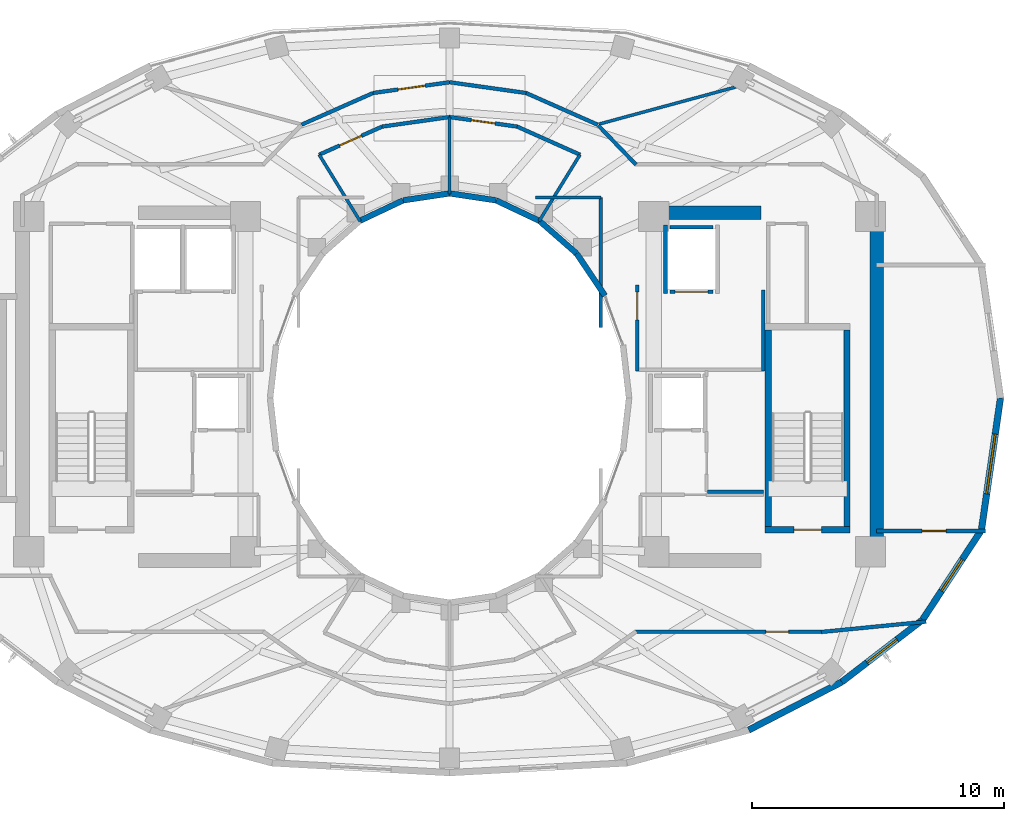
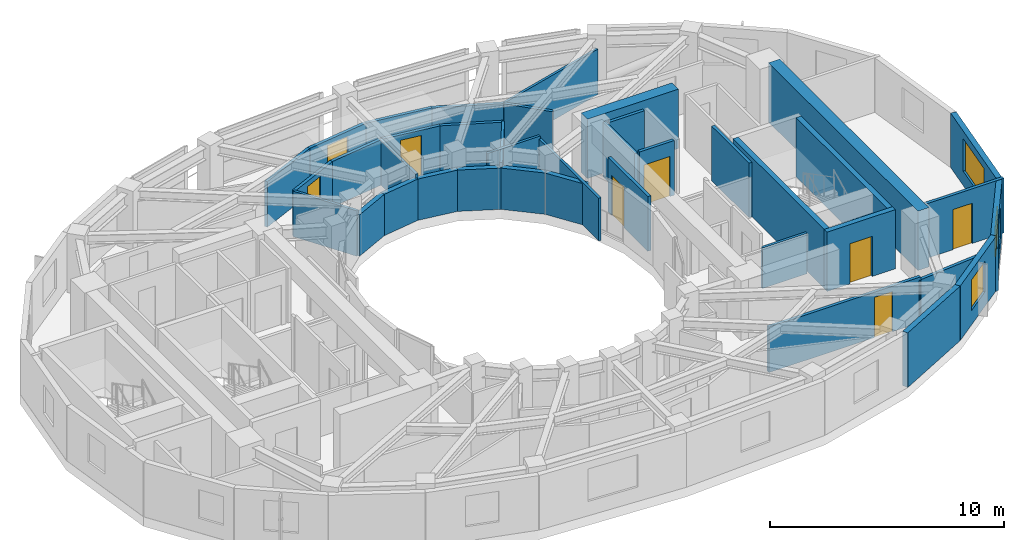
# One storey, part 15 of 19: 39 walls, 8 doors, 3 windows, 11 openings.
"""IFC4 building model written with IfcOpenShell, lengths in metres."""

from ifc_helpers import new_model, si_unit, direction, frame, frame_2d, origin, place, context, subcontext, project, spatial, rectangle, extrude, material, layer, layer_set, type_object, element, fill, save


model = new_model("IFC4")

# Units and contexts
model_context = context("Model", 3, precision=1e-05, world=origin(), true_north=direction((0.0, 1.0)))
body_context = subcontext(model_context, "Body", "Model", "MODEL_VIEW")
ifc_project = project(units=[si_unit("LENGTHUNIT", "METRE"), si_unit("AREAUNIT", "SQUARE_METRE"), si_unit("VOLUMEUNIT", "CUBIC_METRE"), si_unit("PLANEANGLEUNIT", "RADIAN"), si_unit("MASSUNIT", "GRAM", prefix="KILO")], contexts=[model_context])

# Site, building, storey
site_placement = place(None, origin())
site = spatial("IfcSite", under=ifc_project, at=site_placement, CompositionType="ELEMENT")
building_placement = place(site_placement, origin())
building = spatial("IfcBuilding", under=site, at=building_placement, Name="Solvane Sanctuary Tower", CompositionType="ELEMENT")
storey_placement = place(building_placement, frame((0.0, 0.0, 201.60009765625)))
storey = spatial("IfcBuildingStorey", under=building, at=storey_placement, Name="L61", CompositionType="ELEMENT", Elevation=201.60009765625)

# Walls
ifc_material_1 = material(Name="Concrete C50/60", Category="concrete")
ifc_layer_1 = layer(ifc_material_1, 0.550048828125, Name="Concrete C50/60")
ifc_layer_set_1 = layer_set([ifc_layer_1], Name="Concrete C50/60")
wall_type_1 = type_object("IfcWallType", Name="Wall W-CORE-550", PredefinedType="SHEAR", material=ifc_layer_set_1)
wall_1_placement = place(storey_placement, frame((48.949951171875, 17.050048828125, 0.0), z_axis=(0.0, 0.0, 1.0), x_axis=(0.0, 1.0, 0.0)))
element("IfcWall", 1, at=wall_1_placement, inside=storey, type_object=wall_type_1, Name="L61 Core Shear Wall EC-E", PredefinedType="SHEAR", context=body_context, shape_type="SweptSolid", body=[
    extrude(rectangle(XDim=12.800048828125, YDim=0.550048828125, at=frame_2d((6.39990234375, 0.0))), origin(), (0.0, 0.0, 1.0), 3.099853515625),
])
wall_2_placement = place(storey_placement, frame((39.85009765625, 30.35009765625, 0.0), z_axis=(0.0, 0.0, 1.0), x_axis=(1.0, 0.0, 0.0)))
element("IfcWall", 2, at=wall_2_placement, inside=storey, type_object=wall_type_1, Name="L61 Core Shear Wall EC-N", PredefinedType="SHEAR", context=body_context, shape_type="SweptSolid", body=[
    extrude(rectangle(XDim=4.5, YDim=0.550048828125, at=frame_2d((2.25, 0.0))), origin(), (0.0, 0.0, 1.0), 3.099853515625),
])
ifc_material_2 = material(Name="Acoustic Gypsum Partition Board")
ifc_layer_2 = layer(ifc_material_2, 0.14990234375, Name="Acoustic Gypsum Partition Board")
ifc_layer_set_2 = layer_set([ifc_layer_2], Name="Acoustic Gypsum Partition Board")
wall_type_2 = type_object("IfcWallType", Name="Wall W-CORR-150", PredefinedType="PARTITIONING", material=ifc_layer_set_2)
wall_3_placement = place(storey_placement, frame((44.449951171875, 24.080078125, 0.0), z_axis=(0.0, 0.0, 1.0), x_axis=(0.0, 1.0, 0.0)))
element("IfcWall", 3, at=wall_3_placement, inside=storey, type_object=wall_type_2, Name="L61 East Firefighting Lobby East Wall", PredefinedType="PARTITIONING", context=body_context, shape_type="SweptSolid", body=[
    extrude(rectangle(XDim=3.199951171875, YDim=0.14990234375, at=frame_2d((1.60009765625, 0.0))), origin(), (0.0, 0.0, 1.0), 2.85498046875),
])

# Wall, opening, door
wall_4_placement = place(storey_placement, frame((39.449951171875, 24.080078125, 0.0), z_axis=(0.0, 0.0, 1.0), x_axis=(0.0, 1.0, 0.0)))
wall_4 = element("IfcWall", 4, at=wall_4_placement, inside=storey, type_object=wall_type_2, Name="L61 East Firefighting Lobby West Wall", PredefinedType="PARTITIONING", context=body_context, shape_type="SweptSolid", body=[
    extrude(rectangle(XDim=3.39990234375, YDim=0.14990234375, at=frame_2d((1.699951171875, 0.0))), origin(), (0.0, 0.0, 1.0), 2.85498046875),
])
opening_1_placement = place(wall_4_placement, frame((2.02001953125, 0.0, 0.0)))
opening_1 = element("IfcOpeningElement", 5, at=opening_1_placement, cuts=wall_4, Name="Opening D-L61-05", PredefinedType="OPENING", context=body_context, shape_type="SweptSolid", body=[
    extrude(rectangle(XDim=1.10009765625, YDim=2.10009765625, at=frame_2d((0.550048828125, 1.050048828125))), frame((0.0, 0.0849609375, 0.0), z_axis=(0.0, -1.0, 0.0), x_axis=(1.0, 0.0, 0.0)), (0.0, 0.0, 1.0), 0.169921875),
])
ifc_material_3 = material(Name="Architectural Stainless Steel 316", Category="steel")
door_type_1 = type_object("IfcDoorType", Name="Door D-FFL", OperationType="NOTDEFINED", PredefinedType="DOOR", material=ifc_material_3)
door_1_placement = place(opening_1_placement, origin())
door_1 = element("IfcDoor", 6, at=door_1_placement, inside=storey, type_object=door_type_1, Name="L61 East Firefighting Lobby Fire Door", OperationType="SINGLE_SWING_LEFT", OverallHeight=2.10009765625, OverallWidth=1.10009765625, PredefinedType="DOOR", context=body_context, shape_type="SweptSolid", body=[
    extrude(rectangle(XDim=1.10009765625, YDim=2.10009765625, at=frame_2d((0.550048828125, 1.050048828125))), frame((0.0, 0.02490234375, 0.0), z_axis=(0.0, -1.0, 0.0), x_axis=(1.0, 0.0, 0.0)), (0.0, 0.0, 1.0), 0.050048828125),
])
fill(opening_1, door_1)

# Wall
wall_5_placement = place(storey_placement, frame((37.181396484375, 32.65234375, 0.0), z_axis=(0.0, 0.0, 1.0), x_axis=(-0.913120130558, 0.407690602257, 0.0)))
element("IfcWall", 7, at=wall_5_placement, inside=storey, type_object=wall_type_2, Name="L61 Light-Well Alcove Corridor Wall 1", PredefinedType="PARTITIONING", context=body_context, shape_type="SweptSolid", body=[
    extrude(rectangle(XDim=2.74267578125, YDim=0.14990234375, at=frame_2d((1.371337890625, 0.0))), origin(), (0.0, 0.0, 1.0), 2.3759765625),
])

# Wall, opening, door
wall_6_placement = place(storey_placement, frame((34.680419921875, 33.76953125, 0.0), z_axis=(0.0, 0.0, 1.0), x_axis=(-0.990132151456, 0.140136799779, 0.0)))
wall_6 = element("IfcWall", 8, at=wall_6_placement, inside=storey, type_object=wall_type_2, Name="L61 Light-Well Alcove Corridor Wall 1", PredefinedType="PARTITIONING", context=body_context, shape_type="SweptSolid", body=[
    extrude(rectangle(XDim=2.71435546875, YDim=0.14990234375, at=frame_2d((1.357177734375, 0.0))), origin(), (0.0, 0.0, 1.0), 2.3759765625),
])
opening_2_placement = place(wall_6_placement, frame((0.882080078125, 0.0, 0.0)))
opening_2 = element("IfcOpeningElement", 9, at=opening_2_placement, cuts=wall_6, Name="Opening D-L61-12", PredefinedType="OPENING", context=body_context, shape_type="SweptSolid", body=[
    extrude(rectangle(XDim=0.949951171875, YDim=2.10009765625, at=frame_2d((0.47509765625, 1.050048828125))), frame((0.0, 0.0849609375, 0.0), z_axis=(0.0, -1.0, 0.0), x_axis=(1.0, 0.0, 0.0)), (0.0, 0.0, 1.0), 0.169921875),
])
ifc_material_4 = material(Name="Engineered Tropical Hardwood", Category="wood")
door_type_2 = type_object("IfcDoorType", Name="Door D-ROOM-950", OperationType="NOTDEFINED", PredefinedType="DOOR", material=ifc_material_4)
door_2_placement = place(opening_2_placement, origin())
door_2 = element("IfcDoor", 10, at=door_2_placement, inside=storey, type_object=door_type_2, Name="L61 Light-Well Alcove Door 1", OperationType="SINGLE_SWING_RIGHT", OverallHeight=2.10009765625, OverallWidth=0.949951171875, PredefinedType="DOOR", context=body_context, shape_type="SweptSolid", body=[
    extrude(rectangle(XDim=0.949951171875, YDim=2.10009765625, at=frame_2d((0.47509765625, 1.050048828125))), frame((0.0, 0.02490234375, 0.0), z_axis=(0.0, -1.0, 0.0), x_axis=(1.0, 0.0, 0.0)), (0.0, 0.0, 1.0), 0.050048828125),
])
fill(opening_2, door_2)

# Wall
wall_7_placement = place(storey_placement, frame((32.007080078125, 34.14990234375, 0.0), z_axis=(0.0, 0.0, 1.0), x_axis=(-0.990132151456, -0.140136799779, 0.0)))
element("IfcWall", 11, at=wall_7_placement, inside=storey, type_object=wall_type_2, Name="L61 Light-Well Alcove Corridor Wall 2", PredefinedType="PARTITIONING", context=body_context, shape_type="SweptSolid", body=[
    extrude(rectangle(XDim=2.71435546875, YDim=0.14990234375, at=frame_2d((1.357177734375, 0.0))), origin(), (0.0, 0.0, 1.0), 2.3759765625),
])

# Wall, opening, door
wall_8_placement = place(storey_placement, frame((29.322998046875, 33.7705078125, 0.0), z_axis=(0.0, 0.0, 1.0), x_axis=(-0.913120130558, -0.407690602257, 0.0)))
wall_8 = element("IfcWall", 12, at=wall_8_placement, inside=storey, type_object=wall_type_2, Name="L61 Light-Well Alcove Corridor Wall 2", PredefinedType="PARTITIONING", context=body_context, shape_type="SweptSolid", body=[
    extrude(rectangle(XDim=2.74267578125, YDim=0.14990234375, at=frame_2d((1.371337890625, 0.0))), origin(), (0.0, 0.0, 1.0), 2.3759765625),
])
opening_3_placement = place(wall_8_placement, frame((0.896240234375, 0.0, 0.0)))
opening_3 = element("IfcOpeningElement", 13, at=opening_3_placement, cuts=wall_8, Name="Opening D-L61-13", PredefinedType="OPENING", context=body_context, shape_type="SweptSolid", body=[
    extrude(rectangle(XDim=0.949951171875, YDim=2.10009765625, at=frame_2d((0.47509765625, 1.050048828125))), frame((0.0, 0.0849609375, 0.0), z_axis=(0.0, -1.0, 0.0), x_axis=(1.0, 0.0, 0.0)), (0.0, 0.0, 1.0), 0.169921875),
])
door_3_placement = place(opening_3_placement, origin())
door_3 = element("IfcDoor", 14, at=door_3_placement, inside=storey, type_object=door_type_2, Name="L61 Light-Well Alcove Door 2", OperationType="SINGLE_SWING_LEFT", OverallHeight=2.10009765625, OverallWidth=0.949951171875, PredefinedType="DOOR", context=body_context, shape_type="SweptSolid", body=[
    extrude(rectangle(XDim=0.949951171875, YDim=2.10009765625, at=frame_2d((0.47509765625, 1.050048828125))), frame((0.0, 0.02490234375, 0.0), z_axis=(0.0, -1.0, 0.0), x_axis=(1.0, 0.0, 0.0)), (0.0, 0.0, 1.0), 0.050048828125),
])
fill(opening_3, door_3)

wall_9_placement = place(storey_placement, frame((48.949951171875, 17.718505859375, 0.0), z_axis=(0.0, 0.0, 1.0), x_axis=(1.0, 0.0, 0.0)))
wall_9 = element("IfcWall", 15, at=wall_9_placement, inside=storey, type_object=wall_type_2, Name="L61 East Shoulder South Wall", PredefinedType="PARTITIONING", context=body_context, shape_type="SweptSolid", body=[
    extrude(rectangle(XDim=4.3203125, YDim=0.14990234375, at=frame_2d((2.16015625, 0.0))), origin(), (0.0, 0.0, 1.0), 2.85498046875),
])
opening_4_placement = place(wall_9_placement, frame((1.801025390625, 0.0, 0.0)))
opening_4 = element("IfcOpeningElement", 16, at=opening_4_placement, cuts=wall_9, Name="Opening D-L61-16", PredefinedType="OPENING", context=body_context, shape_type="SweptSolid", body=[
    extrude(rectangle(XDim=0.949951171875, YDim=2.10009765625, at=frame_2d((0.47509765625, 1.050048828125))), frame((0.0, 0.0849609375, 0.0), z_axis=(0.0, -1.0, 0.0), x_axis=(1.0, 0.0, 0.0)), (0.0, 0.0, 1.0), 0.169921875),
])
door_4_placement = place(opening_4_placement, origin())
door_4 = element("IfcDoor", 17, at=door_4_placement, inside=storey, type_object=door_type_2, Name="L61 East Shoulder South Door", OperationType="SINGLE_SWING_RIGHT", OverallHeight=2.10009765625, OverallWidth=0.949951171875, PredefinedType="DOOR", context=body_context, shape_type="SweptSolid", body=[
    extrude(rectangle(XDim=0.949951171875, YDim=2.10009765625, at=frame_2d((0.47509765625, 1.050048828125))), frame((0.0, 0.02490234375, 0.0), z_axis=(0.0, -1.0, 0.0), x_axis=(1.0, 0.0, 0.0)), (0.0, 0.0, 1.0), 0.050048828125),
])
fill(opening_4, door_4)

# Wall
wall_10_placement = place(storey_placement, frame((37.9033203125, 33.811767578125, 0.0), z_axis=(0.0, 0.0, 1.0), x_axis=(0.694032962553, -0.719943224768, 0.0)))
element("IfcWall", 18, at=wall_10_placement, inside=storey, type_object=wall_type_2, Name="L61 NE Corner Throat Wall", PredefinedType="PARTITIONING", context=body_context, shape_type="SweptSolid", body=[
    extrude(rectangle(XDim=2.15771484375, YDim=0.14990234375, at=frame_2d((1.078857421875, 0.0))), origin(), (0.0, 0.0, 1.0), 2.3759765625),
])

# Wall, opening, door
wall_11_placement = place(storey_placement, frame((39.330078125, 13.719970703125, 0.0), z_axis=(0.0, 0.0, 1.0), x_axis=(1.0, 0.0, 0.0)))
wall_11 = element("IfcWall", 19, at=wall_11_placement, inside=storey, type_object=wall_type_2, Name="L61 SE Corner Corridor Wall", PredefinedType="PARTITIONING", context=body_context, shape_type="SweptSolid", body=[
    extrude(rectangle(XDim=7.52001953125, YDim=0.14990234375, at=frame_2d((3.760009765625, 0.0))), origin(), (0.0, 0.0, 1.0), 2.3759765625),
])
opening_5_placement = place(wall_11_placement, frame((5.219970703125, 0.0, 0.0)))
opening_5 = element("IfcOpeningElement", 20, at=opening_5_placement, cuts=wall_11, Name="Opening D-L61-20", PredefinedType="OPENING", context=body_context, shape_type="SweptSolid", body=[
    extrude(rectangle(XDim=0.89990234375, YDim=2.10009765625, at=frame_2d((0.449951171875, 1.050048828125))), frame((0.0, 0.0849609375, 0.0), z_axis=(0.0, -1.0, 0.0), x_axis=(1.0, 0.0, 0.0)), (0.0, 0.0, 1.0), 0.169921875),
])
door_type_3 = type_object("IfcDoorType", Name="Door D-WET-900", OperationType="NOTDEFINED", PredefinedType="DOOR", material=ifc_material_4)
door_5_placement = place(opening_5_placement, origin())
door_5 = element("IfcDoor", 21, at=door_5_placement, inside=storey, type_object=door_type_3, Name="L61 SE Corner Salon Door", OperationType="SINGLE_SWING_RIGHT", OverallHeight=2.10009765625, OverallWidth=0.89990234375, PredefinedType="DOOR", context=body_context, shape_type="SweptSolid", body=[
    extrude(rectangle(XDim=0.89990234375, YDim=2.10009765625, at=frame_2d((0.449951171875, 1.050048828125))), frame((0.0, 0.02490234375, 0.0), z_axis=(0.0, -1.0, 0.0), x_axis=(1.0, 0.0, 0.0)), (0.0, 0.0, 1.0), 0.050048828125),
])
fill(opening_5, door_5)

# Walls
wall_12_placement = place(storey_placement, frame((46.750244140625, 13.715087890625, 0.0), z_axis=(0.0, 0.0, 1.0), x_axis=(0.995223854991, 0.097619047609, 0.0)))
element("IfcWall", 22, at=wall_12_placement, inside=storey, type_object=wall_type_2, Name="L61 SE Corner Wing Wall", PredefinedType="PARTITIONING", context=body_context, shape_type="SweptSolid", body=[
    extrude(rectangle(XDim=4.181640625, YDim=0.14990234375, at=frame_2d((2.0908203125, 0.0))), origin(), (0.0, 0.0, 1.0), 2.219970703125),
])
wall_13_placement = place(storey_placement, frame((37.8720703125, 33.846923828125, 0.0), z_axis=(0.0, 0.0, 1.0), x_axis=(-0.914384748819, 0.404846305563, 0.0)))
element("IfcWall", 23, at=wall_13_placement, inside=storey, type_object=wall_type_2, Name="L61 Sky Promenade Corridor Wall N1", PredefinedType="PARTITIONING", context=body_context, shape_type="SweptSolid", body=[
    extrude(rectangle(XDim=3.103759765625, YDim=0.14990234375, at=frame_2d((1.5517578125, 0.0))), origin(), (0.0, 0.0, 1.0), 2.3759765625),
])
wall_14_placement = place(storey_placement, frame((35.037841796875, 35.1025390625, 0.0), z_axis=(0.0, 0.0, 1.0), x_axis=(-0.990255721996, 0.139260924361, 0.0)))
element("IfcWall", 24, at=wall_14_placement, inside=storey, type_object=wall_type_2, Name="L61 Sky Promenade Corridor Wall N1", PredefinedType="PARTITIONING", context=body_context, shape_type="SweptSolid", body=[
    extrude(rectangle(XDim=3.06982421875, YDim=0.14990234375, at=frame_2d((1.534912109375, 0.0))), origin(), (0.0, 0.0, 1.0), 2.3759765625),
])

# Wall, opening, door
wall_15_placement = place(storey_placement, frame((32.001953125, 35.530029296875, 0.0), z_axis=(0.0, 0.0, 1.0), x_axis=(-0.990255721996, -0.139260924361, 0.0)))
wall_15 = element("IfcWall", 25, at=wall_15_placement, inside=storey, type_object=wall_type_2, Name="L61 Sky Promenade Corridor Wall N1", PredefinedType="PARTITIONING", context=body_context, shape_type="SweptSolid", body=[
    extrude(rectangle(XDim=3.06982421875, YDim=0.14990234375, at=frame_2d((1.534912109375, 0.0))), origin(), (0.0, 0.0, 1.0), 2.3759765625),
])
opening_6_placement = place(wall_15_placement, frame((0.98486328125, 0.0, 0.0)))
opening_6 = element("IfcOpeningElement", 26, at=opening_6_placement, cuts=wall_15, Name="Opening D-L61-21", PredefinedType="OPENING", context=body_context, shape_type="SweptSolid", body=[
    extrude(rectangle(XDim=1.10009765625, YDim=2.10009765625, at=frame_2d((0.550048828125, 1.050048828125))), frame((0.0, 0.0849609375, 0.0), z_axis=(0.0, -1.0, 0.0), x_axis=(1.0, 0.0, 0.0)), (0.0, 0.0, 1.0), 0.169921875),
])
door_6_placement = place(opening_6_placement, origin())
door_6 = element("IfcDoor", 27, at=door_6_placement, inside=storey, type_object=door_type_1, Name="L61 Sky Hall Entrance Door N1", OperationType="SINGLE_SWING_LEFT", OverallHeight=2.10009765625, OverallWidth=1.10009765625, PredefinedType="DOOR", context=body_context, shape_type="SweptSolid", body=[
    extrude(rectangle(XDim=1.10009765625, YDim=2.10009765625, at=frame_2d((0.550048828125, 1.050048828125))), frame((0.0, 0.02490234375, 0.0), z_axis=(0.0, -1.0, 0.0), x_axis=(1.0, 0.0, 0.0)), (0.0, 0.0, 1.0), 0.050048828125),
])
fill(opening_6, door_6)

# Walls
wall_16_placement = place(storey_placement, frame((28.966064453125, 35.103515625, 0.0), z_axis=(0.0, 0.0, 1.0), x_axis=(-0.914384748819, -0.404846305563, 0.0)))
element("IfcWall", 28, at=wall_16_placement, inside=storey, type_object=wall_type_2, Name="L61 Sky Promenade Corridor Wall N1", PredefinedType="PARTITIONING", context=body_context, shape_type="SweptSolid", body=[
    extrude(rectangle(XDim=3.103759765625, YDim=0.14990234375, at=frame_2d((1.5517578125, 0.0))), origin(), (0.0, 0.0, 1.0), 2.3759765625),
])
ifc_material_5 = material(Name="Precast concrete C40/50", Category="concrete")
ifc_layer_3 = layer(ifc_material_5, 0.260009765625, Name="Precast concrete C40/50")
ifc_layer_set_3 = layer_set([ifc_layer_3], Name="Precast concrete C40/50")
wall_type_3 = type_object("IfcWallType", Name="Wall W-EXT-250", PredefinedType="STANDARD", material=ifc_layer_set_3)
wall_17_placement = place(storey_placement, frame((43.8701171875, 9.822998046875, 0.0), z_axis=(0.0, 0.0, 1.0), x_axis=(0.88849146803, 0.458893137057, 0.0)))
element("IfcWall", 29, at=wall_17_placement, inside=storey, type_object=wall_type_3, Name="L61 Ceramic-Printed Facade Wall 20", PredefinedType="STANDARD", context=body_context, shape_type="SweptSolid", body=[
    extrude(rectangle(XDim=4.150390625, YDim=0.260009765625, at=frame_2d((2.0751953125, 0.0))), origin(), (0.0, 0.0, 1.0), 2.849853515625),
])

# Wall, opening, window
wall_18_placement = place(storey_placement, frame((47.5576171875, 11.7275390625, 0.0), z_axis=(0.0, 0.0, 1.0), x_axis=(0.792713817907, 0.609593965603, 0.0)))
wall_18 = element("IfcWall", 30, at=wall_18_placement, inside=storey, type_object=wall_type_3, Name="L61 Ceramic-Printed Facade Wall 21", PredefinedType="STANDARD", context=body_context, shape_type="SweptSolid", body=[
    extrude(rectangle(XDim=4.041015625, YDim=0.260009765625, at=frame_2d((2.0205078125, 0.0))), origin(), (0.0, 0.0, 1.0), 2.849853515625),
])
opening_7_placement = place(wall_18_placement, frame((1.2705078125, 0.0, 0.75)))
opening_7 = element("IfcOpeningElement", 31, at=opening_7_placement, cuts=wall_18, Name="Opening WN-OPER-1500", PredefinedType="OPENING", context=body_context, shape_type="SweptSolid", body=[
    extrude(rectangle(XDim=1.5, YDim=1.60009765625, at=frame_2d((0.75, 0.800048828125))), frame((0.0, 0.139892578125, 0.0), z_axis=(0.0, -1.0, 0.0), x_axis=(1.0, 0.0, 0.0)), (0.0, 0.0, 1.0), 0.280029296875),
])
ifc_material_6 = material(Name="Dark Ceramic-Fritted Low-E Glass", Category="glass")
window_type_1 = type_object("IfcWindowType", Name="Window WN-OPER-1500", PartitioningType="SINGLE_PANEL", PredefinedType="WINDOW", material=ifc_material_6)
window_1_placement = place(opening_7_placement, origin())
window_1 = element("IfcWindow", 32, at=window_1_placement, inside=storey, type_object=window_type_1, Name="L61 Operable Facade Window 21", OverallHeight=1.60009765625, OverallWidth=1.5, PartitioningType="SINGLE_PANEL", PredefinedType="WINDOW", context=body_context, shape_type="SweptSolid", body=[
    extrude(rectangle(XDim=1.5, YDim=1.60009765625, at=frame_2d((0.75, 0.800048828125))), frame((0.0, 0.030029296875, 0.0), z_axis=(0.0, -1.0, 0.0), x_axis=(1.0, 0.0, 0.0)), (0.0, 0.0, 1.0), 0.06005859375),
])
fill(opening_7, window_1)

wall_19_placement = place(storey_placement, frame((50.760986328125, 14.19091796875, 0.0), z_axis=(0.0, 0.0, 1.0), x_axis=(0.548776305075, 0.835969238064, 0.0)))
wall_19 = element("IfcWall", 33, at=wall_19_placement, inside=storey, type_object=wall_type_3, Name="L61 Ceramic-Printed Facade Wall 22", PredefinedType="STANDARD", context=body_context, shape_type="SweptSolid", body=[
    extrude(rectangle(XDim=4.270751953125, YDim=0.260009765625, at=frame_2d((2.13525390625, 0.0))), origin(), (0.0, 0.0, 1.0), 2.849853515625),
])
opening_8_placement = place(wall_19_placement, frame((1.385498046875, 0.0, 0.75)))
opening_8 = element("IfcOpeningElement", 34, at=opening_8_placement, cuts=wall_19, Name="Opening WN-OPER-1500", PredefinedType="OPENING", context=body_context, shape_type="SweptSolid", body=[
    extrude(rectangle(XDim=1.5, YDim=1.60009765625, at=frame_2d((0.75, 0.800048828125))), frame((0.0, 0.139892578125, 0.0), z_axis=(0.0, -1.0, 0.0), x_axis=(1.0, 0.0, 0.0)), (0.0, 0.0, 1.0), 0.280029296875),
])
window_2_placement = place(opening_8_placement, origin())
window_2 = element("IfcWindow", 35, at=window_2_placement, inside=storey, type_object=window_type_1, Name="L61 Operable Facade Window 22", OverallHeight=1.60009765625, OverallWidth=1.5, PartitioningType="SINGLE_PANEL", PredefinedType="WINDOW", context=body_context, shape_type="SweptSolid", body=[
    extrude(rectangle(XDim=1.5, YDim=1.60009765625, at=frame_2d((0.75, 0.800048828125))), frame((0.0, 0.030029296875, 0.0), z_axis=(0.0, -1.0, 0.0), x_axis=(1.0, 0.0, 0.0)), (0.0, 0.0, 1.0), 0.06005859375),
])
fill(opening_8, window_2)

wall_20_placement = place(storey_placement, frame((53.104736328125, 17.76123046875, 0.0), z_axis=(0.0, 0.0, 1.0), x_axis=(0.142712754019, 0.989764148593, 0.0)))
wall_20 = element("IfcWall", 36, at=wall_20_placement, inside=storey, type_object=wall_type_3, Name="L61 Ceramic-Printed Facade Wall 23", PredefinedType="STANDARD", context=body_context, shape_type="SweptSolid", body=[
    extrude(rectangle(XDim=5.29296875, YDim=0.260009765625, at=frame_2d((2.646484375, 0.0))), origin(), (0.0, 0.0, 1.0), 2.849853515625),
])
opening_9_placement = place(wall_20_placement, frame((1.446533203125, 0.0, 0.75)))
opening_9 = element("IfcOpeningElement", 37, at=opening_9_placement, cuts=wall_20, Name="Opening WN-RIB-2400", PredefinedType="OPENING", context=body_context, shape_type="SweptSolid", body=[
    extrude(rectangle(XDim=2.39990234375, YDim=1.699951171875, at=frame_2d((1.199951171875, 0.85009765625))), frame((0.0, 0.139892578125, 0.0), z_axis=(0.0, -1.0, 0.0), x_axis=(1.0, 0.0, 0.0)), (0.0, 0.0, 1.0), 0.280029296875),
])
window_type_2 = type_object("IfcWindowType", Name="Window WN-RIB-2400", PartitioningType="SINGLE_PANEL", PredefinedType="WINDOW", material=ifc_material_6)
window_3_placement = place(opening_9_placement, origin())
window_3 = element("IfcWindow", 38, at=window_3_placement, inside=storey, type_object=window_type_2, Name="L61 Operable Facade Window 23", OverallHeight=1.699951171875, OverallWidth=2.39990234375, PartitioningType="SINGLE_PANEL", PredefinedType="WINDOW", context=body_context, shape_type="SweptSolid", body=[
    extrude(rectangle(XDim=2.39990234375, YDim=1.699951171875, at=frame_2d((1.199951171875, 0.85009765625))), frame((0.0, 0.030029296875, 0.0), z_axis=(0.0, -1.0, 0.0), x_axis=(1.0, 0.0, 0.0)), (0.0, 0.0, 1.0), 0.06005859375),
])
fill(opening_9, window_3)

# Walls
ifc_layer_4 = layer(ifc_material_5, 0.22998046875, Name="Precast concrete C40/50")
ifc_layer_set_4 = layer_set([ifc_layer_4], Name="Precast concrete C40/50")
wall_type_4 = type_object("IfcWallType", Name="Wall W-EXT-SP220", PredefinedType="STANDARD", material=ifc_layer_set_4)
wall_21_placement = place(storey_placement, frame((38.166015625, 27.06005859375, 0.0), z_axis=(0.0, 0.0, 1.0), x_axis=(-0.558197800898, 0.829707909492, 0.0)))
element("IfcWall", 39, at=wall_21_placement, inside=storey, type_object=wall_type_4, Name="L61 Central Light-Well Wall 02", PredefinedType="STANDARD", context=body_context, shape_type="SweptSolid", body=[
    extrude(rectangle(XDim=2.02685546875, YDim=0.22998046875, at=frame_2d((1.013427734375, 0.0))), origin(), (0.0, 0.0, 1.0), 2.159912109375),
])
wall_22_placement = place(storey_placement, frame((37.03466796875, 28.74169921875, 0.0), z_axis=(0.0, 0.0, 1.0), x_axis=(-0.752576694707, 0.658504607869, 0.0)))
element("IfcWall", 40, at=wall_22_placement, inside=storey, type_object=wall_type_4, Name="L61 Central Light-Well Wall 03", PredefinedType="STANDARD", context=body_context, shape_type="SweptSolid", body=[
    extrude(rectangle(XDim=1.95947265625, YDim=0.22998046875, at=frame_2d((0.979736328125, 0.0))), origin(), (0.0, 0.0, 1.0), 2.159912109375),
])
wall_23_placement = place(storey_placement, frame((35.56005859375, 30.031982421875, 0.0), z_axis=(0.0, 0.0, 1.0), x_axis=(-0.904179699603, 0.427152280606, 0.0)))
element("IfcWall", 41, at=wall_23_placement, inside=storey, type_object=wall_type_4, Name="L61 Central Light-Well Wall 04", PredefinedType="STANDARD", context=body_context, shape_type="SweptSolid", body=[
    extrude(rectangle(XDim=1.899169921875, YDim=0.22998046875, at=frame_2d((0.94970703125, 0.0))), origin(), (0.0, 0.0, 1.0), 2.159912109375),
])
for number, where, z_axis, x_axis, name in (
    (42, (33.8427734375, 30.84326171875, 0.0), (0.0, 0.0, 1.0), (-0.988901730308, 0.148571086668, 0.0), "L61 Central Light-Well Wall 05"),
    (43, (32.0, 31.1201171875, 0.0), (0.0, 0.0, 1.0), (-0.988901730308, -0.148571086668, 0.0), "L61 Central Light-Well Wall 06"),
):
    element("IfcWall", number, at=place(storey_placement, frame(where, z_axis=z_axis, x_axis=x_axis)), inside=storey, type_object=wall_type_4, Name=name, PredefinedType="STANDARD", context=body_context, shape_type="SweptSolid", body=[
        extrude(rectangle(XDim=1.863525390625, YDim=0.22998046875, at=frame_2d((0.931640625, 0.0))), origin(), (0.0, 0.0, 1.0), 2.159912109375),
    ])
wall_24_placement = place(storey_placement, frame((30.1572265625, 30.84326171875, 0.0), z_axis=(0.0, 0.0, 1.0), x_axis=(-0.904179699603, -0.427152280606, 0.0)))
element("IfcWall", 44, at=wall_24_placement, inside=storey, type_object=wall_type_4, Name="L61 Central Light-Well Wall 07", PredefinedType="STANDARD", context=body_context, shape_type="SweptSolid", body=[
    extrude(rectangle(XDim=1.899169921875, YDim=0.22998046875, at=frame_2d((0.94970703125, 0.0))), origin(), (0.0, 0.0, 1.0), 2.159912109375),
])
ifc_layer_5 = layer(ifc_material_2, 0.1201171875, Name="Acoustic Gypsum Partition Board")
ifc_layer_set_5 = layer_set([ifc_layer_5], Name="Acoustic Gypsum Partition Board")
wall_type_5 = type_object("IfcWallType", Name="Wall W-MOV-100", PredefinedType="MOVABLE", material=ifc_layer_set_5)
wall_25_placement = place(storey_placement, frame((37.918212890625, 33.86572265625, 0.0), z_axis=(0.0, 0.0, 1.0), x_axis=(0.965109390289, 0.261847025523, 0.0)))
element("IfcWall", 45, at=wall_25_placement, inside=storey, type_object=wall_type_5, Name="L61 Sky Hall Radial Partition 060", PredefinedType="MOVABLE", context=body_context, shape_type="SweptSolid", body=[
    extrude(rectangle(XDim=5.643798828125, YDim=0.1201171875, at=frame_2d((2.82177734375, 0.0))), origin(), (0.0, 0.0, 1.0), 2.3759765625),
])
ifc_layer_6 = layer(ifc_material_2, 0.125, Name="Acoustic Gypsum Partition Board")
ifc_layer_set_6 = layer_set([ifc_layer_6], Name="Acoustic Gypsum Partition Board")
wall_type_6 = type_object("IfcWallType", Name="Wall W-PART-125", PredefinedType="PARTITIONING", material=ifc_layer_set_6)
wall_26_placement = place(storey_placement, frame((42.239990234375, 19.280029296875, 0.0), z_axis=(0.0, 0.0, 1.0), x_axis=(1.0, 0.0, 0.0)))
element("IfcWall", 46, at=wall_26_placement, inside=storey, type_object=wall_type_6, Name="L61 Reclaimed Room Closer Wall PME-1", PredefinedType="PARTITIONING", context=body_context, shape_type="SweptSolid", body=[
    extrude(rectangle(XDim=2.2099609375, YDim=0.125, at=frame_2d((1.10498046875, 0.0))), origin(), (0.0, 0.0, 1.0), 2.119873046875),
])
wall_27_placement = place(storey_placement, frame((35.550048828125, 30.014892578125, 0.0), z_axis=(0.0, 0.0, 1.0), x_axis=(0.523992004803, 0.851723182086, 0.0)))
element("IfcWall", 47, at=wall_27_placement, inside=storey, type_object=wall_type_6, Name="L61 Light-Well Alcove Radial Wall 60", PredefinedType="PARTITIONING", context=body_context, shape_type="SweptSolid", body=[
    extrude(rectangle(XDim=3.10107421875, YDim=0.125, at=frame_2d((1.550537109375, 0.0))), origin(), (0.0, 0.0, 1.0), 2.3759765625),
])
wall_28_placement = place(storey_placement, frame((32.0, 31.10009765625, 0.0), z_axis=(0.0, 0.0, 1.0), x_axis=(0.0, 1.0, 0.0)))
element("IfcWall", 48, at=wall_28_placement, inside=storey, type_object=wall_type_6, Name="L61 Light-Well Alcove Radial Wall 90", PredefinedType="PARTITIONING", context=body_context, shape_type="SweptSolid", body=[
    extrude(rectangle(XDim=3.0498046875, YDim=0.125, at=frame_2d((1.52490234375, 0.0))), origin(), (0.0, 0.0, 1.0), 2.3759765625),
])
wall_29_placement = place(storey_placement, frame((28.449951171875, 30.014892578125, 0.0), z_axis=(0.0, 0.0, 1.0), x_axis=(-0.523992004803, 0.851723182086, 0.0)))
element("IfcWall", 49, at=wall_29_placement, inside=storey, type_object=wall_type_6, Name="L61 Light-Well Alcove Radial Wall 120", PredefinedType="PARTITIONING", context=body_context, shape_type="SweptSolid", body=[
    extrude(rectangle(XDim=3.10107421875, YDim=0.125, at=frame_2d((1.550537109375, 0.0))), origin(), (0.0, 0.0, 1.0), 2.3759765625),
])
wall_30_placement = place(storey_placement, frame((38.0, 25.800048828125, 0.0), z_axis=(0.0, 0.0, 1.0), x_axis=(0.0, 1.0, 0.0)))
element("IfcWall", 50, at=wall_30_placement, inside=storey, type_object=wall_type_6, Name="L61 Bridge Alcove Wall 3", PredefinedType="PARTITIONING", context=body_context, shape_type="SweptSolid", body=[
    extrude(rectangle(XDim=5.159912109375, YDim=0.125, at=frame_2d((2.580078125, 0.0))), origin(), (0.0, 0.0, 1.0), 2.23193359375),
])
wall_31_placement = place(storey_placement, frame((35.39990234375, 30.9599609375, 0.0), z_axis=(0.0, 0.0, 1.0), x_axis=(1.0, 0.0, 0.0)))
element("IfcWall", 51, at=wall_31_placement, inside=storey, type_object=wall_type_6, Name="L61 Bridge Alcove Wall 4", PredefinedType="PARTITIONING", context=body_context, shape_type="SweptSolid", body=[
    extrude(rectangle(XDim=2.60009765625, YDim=0.125, at=frame_2d((1.300048828125, 0.0))), origin(), (0.0, 0.0, 1.0), 2.3759765625),
])

# Wall, opening, door
ifc_layer_7 = layer(ifc_material_1, 0.14990234375, Name="Concrete C50/60")
ifc_layer_set_7 = layer_set([ifc_layer_7], Name="Concrete C50/60")
wall_type_7 = type_object("IfcWallType", Name="Wall W-SHAFT-150", PredefinedType="SOLIDWALL", material=ifc_layer_set_7)
wall_32_placement = place(storey_placement, frame((40.739990234375, 27.219970703125, 0.0), z_axis=(0.0, 0.0, 1.0), x_axis=(1.0, 0.0, 0.0)))
wall_32 = element("IfcWall", 52, at=wall_32_placement, inside=storey, type_object=wall_type_7, Name="L61 FFL-2 Lift Shaft Wall F", PredefinedType="SOLIDWALL", context=body_context, shape_type="SweptSolid", body=[
    extrude(rectangle(XDim=1.719970703125, YDim=0.14990234375, at=frame_2d((0.85986328125, 0.0))), origin(), (0.0, 0.0, 1.0), 2.85498046875),
])
opening_10_placement = place(wall_32_placement, frame((0.2099609375, 0.0, 0.0)))
opening_10 = element("IfcOpeningElement", 53, at=opening_10_placement, cuts=wall_32, Name="Opening LD-L61-05", PredefinedType="OPENING", context=body_context, shape_type="SweptSolid", body=[
    extrude(rectangle(XDim=1.300048828125, YDim=2.10009765625, at=frame_2d((0.64990234375, 1.050048828125))), frame((0.0, 0.0849609375, 0.0), z_axis=(0.0, -1.0, 0.0), x_axis=(1.0, 0.0, 0.0)), (0.0, 0.0, 1.0), 0.169921875),
])
door_type_4 = type_object("IfcDoorType", Name="Door LD-FFL-1300", OperationType="NOTDEFINED", PredefinedType="DOOR", material=ifc_material_3)
door_7_placement = place(opening_10_placement, origin())
door_7 = element("IfcDoor", 54, at=door_7_placement, inside=storey, type_object=door_type_4, Name="L61 FFL-2 Lift Landing Door", OperationType="DOUBLE_DOOR_SLIDING", OverallHeight=2.10009765625, OverallWidth=1.300048828125, PredefinedType="DOOR", context=body_context, shape_type="SweptSolid", body=[
    extrude(rectangle(XDim=1.300048828125, YDim=2.10009765625, at=frame_2d((0.64990234375, 1.050048828125))), frame((0.0, 0.02490234375, 0.0), z_axis=(0.0, -1.0, 0.0), x_axis=(1.0, 0.0, 0.0)), (0.0, 0.0, 1.0), 0.050048828125),
])
fill(opening_10, door_7)

# Walls
wall_33_placement = place(storey_placement, frame((40.739990234375, 29.780029296875, 0.0), z_axis=(0.0, 0.0, 1.0), x_axis=(1.0, 0.0, 0.0)))
element("IfcWall", 55, at=wall_33_placement, inside=storey, type_object=wall_type_7, Name="L61 FFL-2 Lift Shaft Wall B", PredefinedType="SOLIDWALL", context=body_context, shape_type="SweptSolid", body=[
    extrude(rectangle(XDim=1.719970703125, YDim=0.14990234375, at=frame_2d((0.85986328125, 0.0))), origin(), (0.0, 0.0, 1.0), 2.85498046875),
])
wall_34_placement = place(storey_placement, frame((40.570068359375, 27.139892578125, 0.0), z_axis=(0.0, 0.0, 1.0), x_axis=(0.0, 1.0, 0.0)))
element("IfcWall", 56, at=wall_34_placement, inside=storey, type_object=wall_type_7, Name="L61 FFL-2 Lift Shaft Wall S1", PredefinedType="SOLIDWALL", context=body_context, shape_type="SweptSolid", body=[
    extrude(rectangle(XDim=2.72021484375, YDim=0.14990234375, at=frame_2d((1.360107421875, 0.0))), origin(), (0.0, 0.0, 1.0), 2.85498046875),
])

# Wall, opening, door
ifc_layer_8 = layer(ifc_material_1, 0.25, Name="Concrete C50/60")
ifc_layer_set_8 = layer_set([ifc_layer_8], Name="Concrete C50/60")
wall_type_8 = type_object("IfcWallType", Name="Wall W-SHAFT-250", PredefinedType="SOLIDWALL", material=ifc_layer_set_8)
wall_35_placement = place(storey_placement, frame((44.52490234375, 17.77001953125, 0.0), z_axis=(0.0, 0.0, 1.0), x_axis=(1.0, 0.0, 0.0)))
wall_35 = element("IfcWall", 57, at=wall_35_placement, inside=storey, type_object=wall_type_8, Name="L61 ST-2 Load-Bearing Shaft Wall S", PredefinedType="SOLIDWALL", context=body_context, shape_type="SweptSolid", body=[
    extrude(rectangle(XDim=3.3701171875, YDim=0.25, at=frame_2d((1.68505859375, 0.0))), origin(), (0.0, 0.0, 1.0), 3.099853515625),
])
opening_11_placement = place(wall_35_placement, frame((1.135009765625, 0.0, 0.0)))
opening_11 = element("IfcOpeningElement", 58, at=opening_11_placement, cuts=wall_35, Name="Opening D-L61-02", PredefinedType="OPENING", context=body_context, shape_type="SweptSolid", body=[
    extrude(rectangle(XDim=1.10009765625, YDim=2.10009765625, at=frame_2d((0.550048828125, 1.050048828125))), frame((0.0, 0.135009765625, 0.0), z_axis=(0.0, -1.0, 0.0), x_axis=(1.0, 0.0, 0.0)), (0.0, 0.0, 1.0), 0.27001953125),
])
door_type_5 = type_object("IfcDoorType", Name="Door D-STAIR", OperationType="NOTDEFINED", PredefinedType="DOOR", material=ifc_material_3)
door_8_placement = place(opening_11_placement, origin())
door_8 = element("IfcDoor", 59, at=door_8_placement, inside=storey, type_object=door_type_5, Name="L61 ST-2 Exit Stair Fire Door", OperationType="SINGLE_SWING_RIGHT", OverallHeight=2.10009765625, OverallWidth=1.10009765625, PredefinedType="DOOR", context=body_context, shape_type="SweptSolid", body=[
    extrude(rectangle(XDim=1.10009765625, YDim=2.10009765625, at=frame_2d((0.550048828125, 1.050048828125))), frame((0.0, 0.02490234375, 0.0), z_axis=(0.0, -1.0, 0.0), x_axis=(1.0, 0.0, 0.0)), (0.0, 0.0, 1.0), 0.050048828125),
])
fill(opening_11, door_8)

# Walls
for number, where, z_axis, x_axis, name in (
    (60, (44.64990234375, 17.89501953125, 0.0), (0.0, 0.0, 1.0), (0.0, 1.0, 0.0), "L61 ST-2 Load-Bearing Shaft Wall W"),
    (61, (47.77001953125, 17.89501953125, 0.0), (0.0, 0.0, 1.0), (0.0, 1.0, 0.0), "L61 ST-2 Load-Bearing Shaft Wall E"),
):
    element("IfcWall", number, at=place(storey_placement, frame(where, z_axis=z_axis, x_axis=x_axis)), inside=storey, type_object=wall_type_8, Name=name, PredefinedType="SOLIDWALL", context=body_context, shape_type="SweptSolid", body=[
        extrude(rectangle(XDim=7.81005859375, YDim=0.25, at=frame_2d((3.905029296875, 0.0))), origin(), (0.0, 0.0, 1.0), 3.099853515625),
    ])

save(model, "model.ifc")
